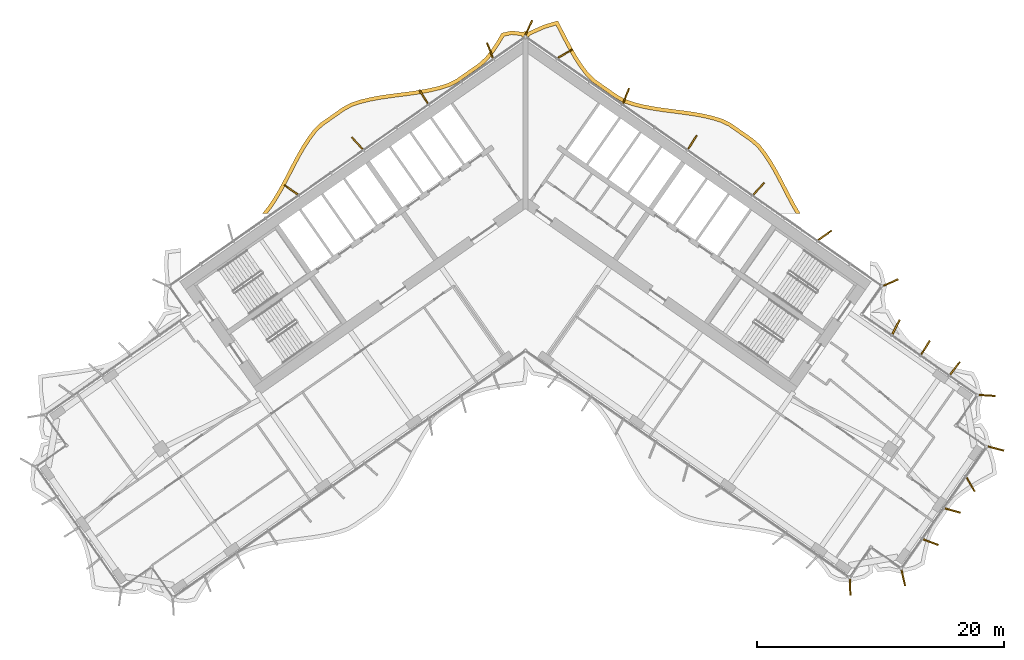
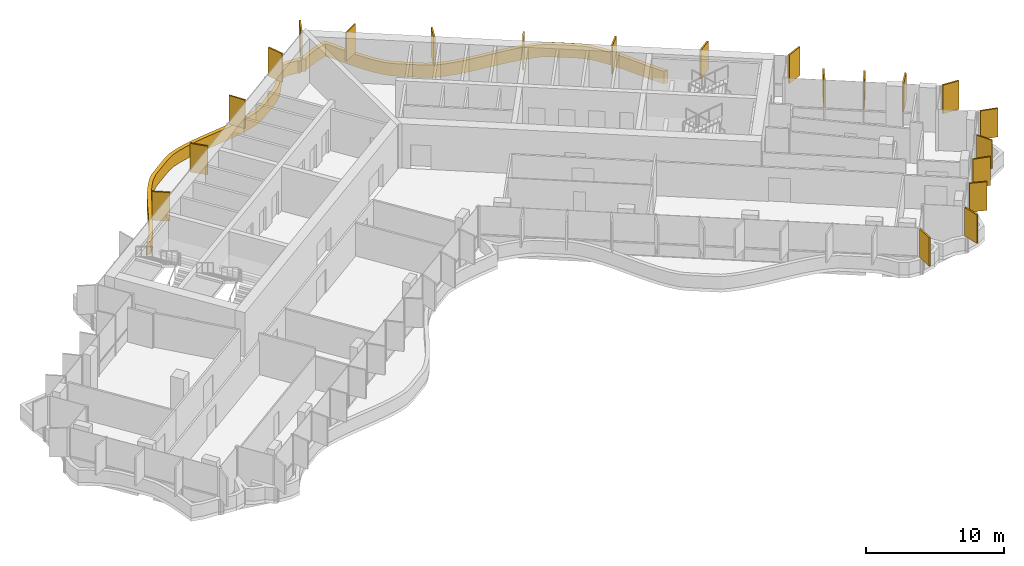
# One storey, part 21 of 21: 22 shading devices.
"""IFC4 building model written with IfcOpenShell, lengths in metres."""

from ifc_helpers import new_model, si_unit, direction, frame, origin, origin_2d, place, context, subcontext, project, spatial, polyline, rectangle, outline, extrude, material, layer, layer_set, type_object, element, save


model = new_model("IFC4")

# Units and contexts
model_context = context("Model", 3, precision=1e-05, world=origin(), true_north=direction((0.0, 1.0)))
body_context = subcontext(model_context, "Body", "Model", "MODEL_VIEW")
ifc_project = project(units=[si_unit("LENGTHUNIT", "METRE"), si_unit("AREAUNIT", "SQUARE_METRE"), si_unit("VOLUMEUNIT", "CUBIC_METRE"), si_unit("PLANEANGLEUNIT", "RADIAN"), si_unit("MASSUNIT", "GRAM", prefix="KILO")], contexts=[model_context])

# Site, building, storey
site_placement = place(None, origin())
site = spatial("IfcSite", under=ifc_project, at=site_placement, CompositionType="ELEMENT")
building_placement = place(site_placement, origin())
building = spatial("IfcBuilding", under=site, at=building_placement, Name="Tel Ilan Convention Tower", CompositionType="ELEMENT")
storey_placement = place(building_placement, frame((0.0, 0.0, 147.60009765625)))
storey = spatial("IfcBuildingStorey", under=building, at=storey_placement, Name="L33", CompositionType="ELEMENT", Elevation=147.60009765625)

# Shading devices
ifc_material_1 = material(Name="Aluminium, bronze anodised", Category="aluminium")
ifc_layer_1 = layer(ifc_material_1, 0.1201171875)
ifc_layer_set_1 = layer_set([ifc_layer_1], Name="FIN BRONZE 1300x120")
shading_device_type_1 = type_object("IfcShadingDeviceType", Name="FIN BRONZE 1300x120", PredefinedType="USERDEFINED", material=ifc_layer_set_1)
for number, where, z_axis, x_axis, name in (
    (1, (29.56689453125, -7.193359375, 1.099853515625), (0.0, 0.0, 1.0), (0.914332505315, 0.404964282034, 0.0), "FIN"),
    (2, (24.233642578125, -3.37841796875, 1.099853515625), (0.0, 0.0, 1.0), (0.813552070258, 0.581492071294, 0.0), "FIN"),
    (3, (18.879150390625, 0.39404296875, 1.099853515625), (0.0, 0.0, 1.0), (0.686241637865, 0.727373641577, 0.0), "FIN"),
    (4, (13.510986328125, 4.153076171875, 1.099853515625), (0.0, 0.0, 1.0), (0.533204432798, 0.845986425922, 0.0), "FIN"),
    (5, (8.139892578125, 7.90576171875, 1.099853515625), (0.0, 0.0, 1.0), (0.360177724803, 0.932883704733, 0.0), "FIN"),
    (6, (3.209716796875, 11.320068359375, 1.099853515625), (0.0, 0.0, 1.0), (0.866025403784, 0.5, 0.0), "FIN"),
    (7, (0.274658203125, 13.43212890625, 1.099853515625), (0.0, 0.0, 1.0), (0.422618261741, 0.906307787037, 0.0), "FIN"),
    (8, (-2.874755859375, 11.592529296875, 1.099853515625), (0.0, 0.0, 1.0), (-0.360177724803, 0.932883704733, 0.0), "FIN"),
    (9, (-8.245849609375, 7.83984375, 1.099853515625), (0.0, 0.0, 1.0), (-0.533204432798, 0.845986425922, 0.0), "FIN"),
    (10, (-13.61376953125, 4.080810546875, 1.099853515625), (0.0, 0.0, 1.0), (-0.686241637865, 0.727373641577, 0.0), "FIN"),
    (11, (-18.96826171875, 0.308349609375, 1.099853515625), (0.0, 0.0, 1.0), (-0.813552070258, 0.581492071294, 0.0), "FIN"),
    (12, (26.2724609375, -31.85791015625, 1.099853515625), (0.0, 0.0, 1.0), (0.029084718749, -0.999576950082, 0.0), "FIN"),
    (13, (30.574462890625, -31.099609375, 1.099853515625), (0.0, 0.0, 1.0), (0.221170268371, -0.975235208752, 0.0), "FIN"),
    (14, (32.79736328125, -28.20703125, 1.099853515625), (0.0, 0.0, 1.0), (0.932883704733, -0.360177724803, 0.0), "FIN"),
    (15, (34.5712890625, -25.65185546875, 1.099853515625), (0.0, 0.0, 1.0), (0.963370878614, -0.268172612768, 0.0), "FIN"),
    (16, (36.02392578125, -23.545166015625, 1.099853515625), (0.0, 0.0, 1.0), (0.5, -0.866025403784, 0.0), "FIN"),
    (17, (38.080078125, -20.633544921875, 1.099853515625), (0.0, 0.0, 1.0), (0.965925826289, -0.258819045103, 0.0), "FIN"),
    (18, (37.353271484375, -16.3330078125, 1.099853515625), (0.0, 0.0, 1.0), (0.997697449973, -0.067821812994, 0.0), "FIN"),
    (19, (34.756103515625, -14.14111328125, 1.099853515625), (0.0, 0.0, 1.0), (0.612600545196, 0.790392669516, 0.0), "FIN"),
    (20, (32.369873046875, -12.47021484375, 1.099853515625), (0.0, 0.0, 1.0), (0.533204432798, 0.845986425922, 0.0), "FIN"),
    (21, (29.98388671875, -10.7998046875, 1.099853515625), (0.0, 0.0, 1.0), (0.448799180206, 0.893632640321, 0.0), "FIN"),
):
    element("IfcShadingDevice", number, at=place(storey_placement, frame(where, z_axis=z_axis, x_axis=x_axis)), inside=storey, type_object=shading_device_type_1, Name=name, ObjectType="FIN", PredefinedType="USERDEFINED", context=body_context, shape_type="SweptSolid", body=[
        extrude(rectangle(XDim=1.300048828125, YDim=0.1201171875, at=origin_2d()), origin(), (0.0, 0.0, 1.0), 2.52001953125),
    ])
ifc_material_2 = material(Name="Aluminium, bronze anodised", Category="aluminium")
ifc_layer_2 = layer(ifc_material_2, 0.300048828125)
ifc_layer_set_2 = layer_set([ifc_layer_2], Name="LOUVRE BAND 300x1100")
shading_device_type_2 = type_object("IfcShadingDeviceType", Name="LOUVRE BAND 300x1100", PredefinedType="USERDEFINED", material=ifc_layer_set_2)
shading_device_placement = place(storey_placement, origin())
element("IfcShadingDevice", 22, at=shading_device_placement, inside=storey, type_object=shading_device_type_2, Name="LOUVRE BAND 27.02", ObjectType="LOUVRE", PredefinedType="USERDEFINED", context=body_context, shape_type="SweptSolid", body=[
    extrude(outline(polyline([(-20.849609375, -1.0634765625), (-21.30126953125, -1.631591796875), (-20.91796875, -1.631591796875), (-20.607666015625, -1.2412109375), (-20.154052734375, -0.572265625), (-19.73291015625, 0.13330078125), (-19.335205078125, 0.86328125), (-18.57080078125, 2.342041015625), (-18.1845703125, 3.06298828125), (-17.78369140625, 3.75341796875), (-17.359619140625, 4.40185546875), (-16.911376953125, 4.99072265625), (-16.409912109375, 5.478515625), (-14.633056640625, 6.722412109375), (-14.02197265625, 7.05712890625), (-13.32763671875, 7.284912109375), (-12.58056640625, 7.4697265625), (-11.800048828125, 7.61669921875), (-10.994384765625, 7.73681640625), (-9.345458984375, 7.94873046875), (-8.521484375, 8.068603515625), (-7.710693359375, 8.216064453125), (-6.921875, 8.404296875), (-6.152587890625, 8.64794921875), (-5.447509765625, 9.00390625), (-3.604248046875, 10.29443359375), (-3.021484375, 10.82373046875), (-2.525634765625, 11.46142578125), (-2.076904296875, 12.135498046875), (-1.727783203125, 12.727294921875), (-1.12451171875, 12.861572265625), (-0.33935546875, 12.77978515625), (-0.24609375, 12.646728515625), (0.0, 12.818115234375), (0.24609375, 12.646728515625), (0.3701171875, 12.82373046875), (1.583984375, 13.365234375), (2.46484375, 13.628173828125), (3.115478515625, 12.37158203125), (3.5078125, 11.636474609375), (3.92041015625, 10.921630859375), (4.362548828125, 10.239501953125), (4.84716796875, 9.595947265625), (5.407958984375, 9.031494140625), (7.251220703125, 7.74072265625), (7.93212890625, 7.353759765625), (8.69921875, 7.09716796875), (9.48291015625, 6.89990234375), (10.2900390625, 6.745361328125), (11.112060546875, 6.621337890625), (12.762939453125, 6.408935546875), (13.572509765625, 6.29248046875), (14.3583984375, 6.15185546875), (15.11279296875, 5.97509765625), (15.819580078125, 5.75537109375), (16.44921875, 5.450927734375), (18.22607421875, 4.206787109375), (18.74951171875, 3.746826171875), (19.200927734375, 3.172607421875), (19.63037109375, 2.533447265625), (20.03515625, 1.850341796875), (20.423583984375, 1.13427734375), (21.186767578125, -0.3427734375), (21.5810546875, -1.075927734375), (21.906005859375, -1.631591796875), (22.25341796875, -1.631591796875), (21.8427734375, -0.928955078125), (21.4521484375, -0.202880859375), (20.688720703125, 1.27490234375), (20.296142578125, 1.998291015625), (19.884033203125, 2.69384765625), (19.44384765625, 3.34912109375), (18.96826171875, 3.9541015625), (18.41162109375, 4.443115234375), (16.6015625, 5.71044921875), (15.929931640625, 6.03515625), (15.191650390625, 6.2646484375), (14.419189453125, 6.44580078125), (13.6201171875, 6.588623046875), (12.80322265625, 6.7060546875), (11.15380859375, 6.91845703125), (10.340576171875, 7.041259765625), (9.547607421875, 7.19287109375), (8.783447265625, 7.385498046875), (8.054931640625, 7.62890625), (7.411865234375, 7.99462890625), (5.601806640625, 9.261962890625), (5.074462890625, 9.792724609375), (4.608642578125, 10.41162109375), (4.17626953125, 11.078369140625), (3.770263671875, 11.7822265625), (3.38134765625, 12.510986328125), (2.6162109375, 13.986328125), (1.4794921875, 13.647216796875), (0.168701171875, 13.059326171875), (0.11474609375, 13.09521484375), (0.0, 13.1181640625), (-0.11474609375, 13.09521484375), (-0.168701171875, 13.059326171875), (-1.14208984375, 13.1650390625), (-1.919921875, 12.991943359375), (-2.3310546875, 12.294921875), (-2.769287109375, 11.63671875), (-3.242431640625, 11.0283203125), (-3.7919921875, 10.529296875), (-5.601806640625, 9.261962890625), (-6.26611328125, 8.926513671875), (-7.002197265625, 8.693603515625), (-7.7724609375, 8.509765625), (-8.570068359375, 8.36474609375), (-9.385986328125, 8.24609375), (-11.03564453125, 8.033935546875), (-11.849853515625, 7.91259765625), (-12.644287109375, 7.76318359375), (-13.41064453125, 7.573486328125), (-14.141845703125, 7.33349609375), (-14.791748046875, 6.977783203125), (-16.6015625, 5.71044921875), (-17.136474609375, 5.1904296875), (-17.604736328125, 4.574951171875), (-18.0390625, 3.9111328125), (-18.44677734375, 3.209228515625), (-18.83642578125, 2.481689453125), (-19.60009765625, 1.004150390625), (-19.993408203125, 0.281982421875), (-20.4072265625, -0.4111328125), (-20.849609375, -1.0634765625)])), origin(), (0.0, 0.0, 1.0), 1.099853515625),
])

save(model, "model.ifc")
